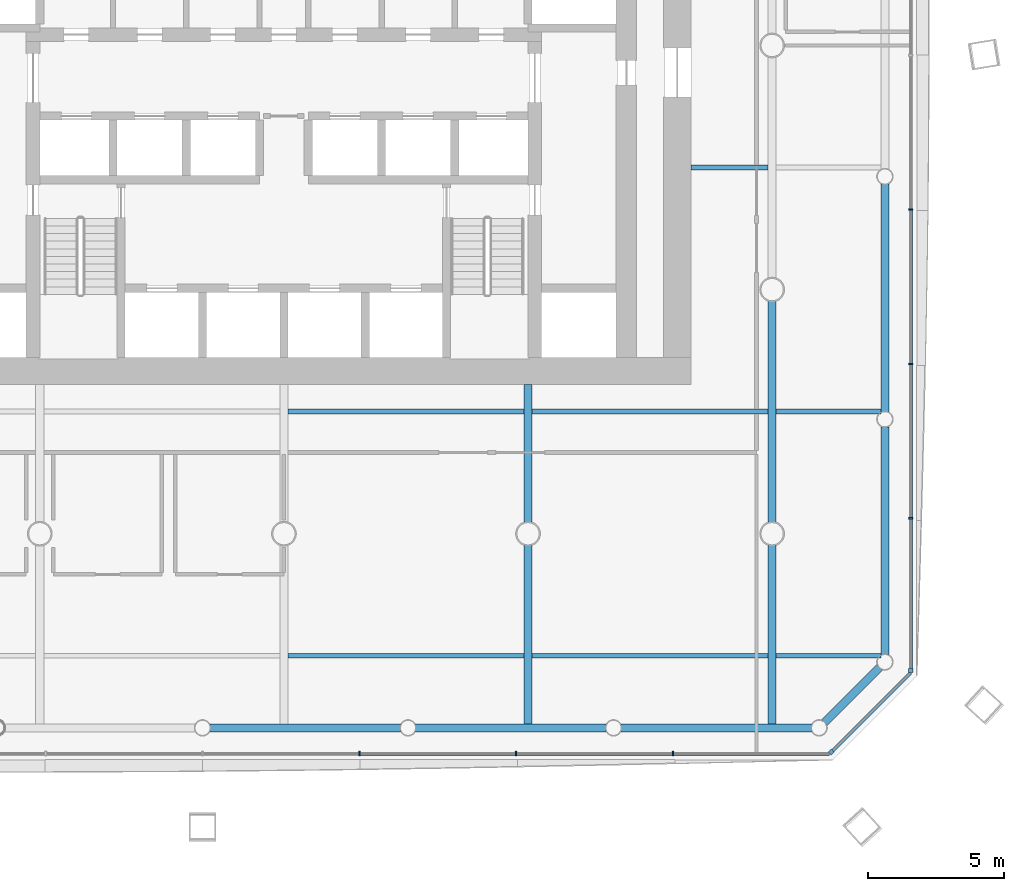
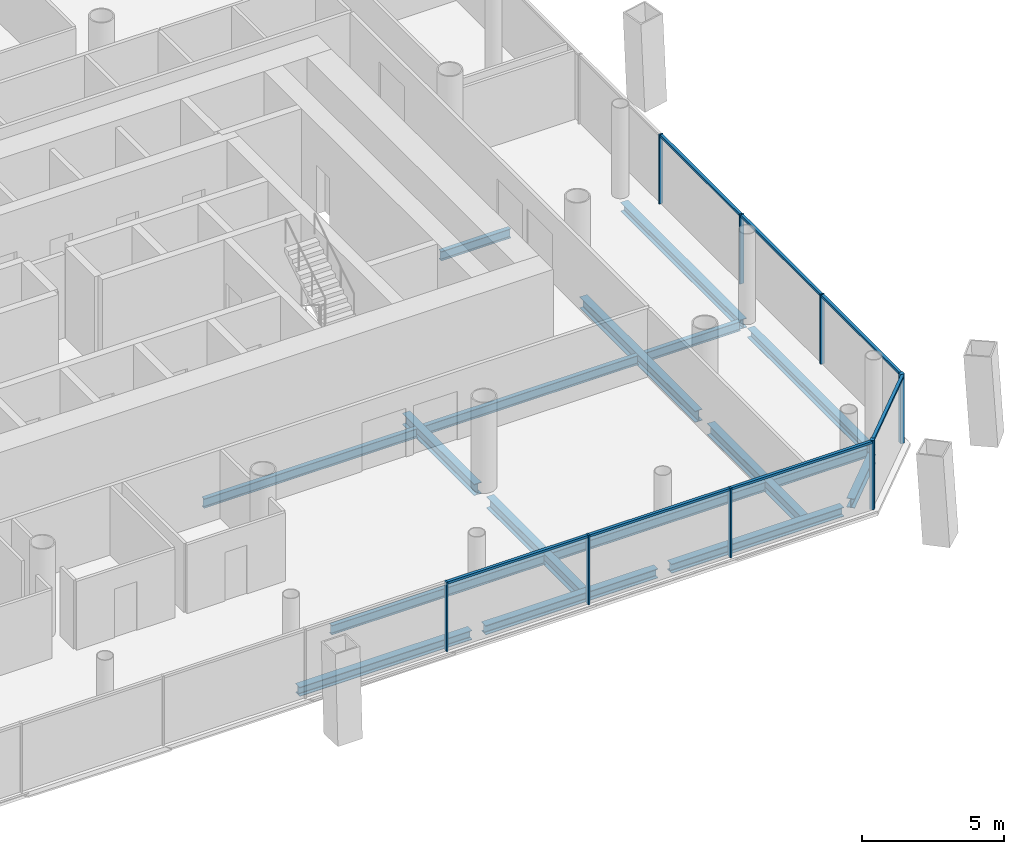
# One storey, part 5 of 20: 17 beams, 15 members, 3 elements without a shape of their own.
"""IFC4 building model written with IfcOpenShell, lengths in metres."""

from ifc_helpers import new_model, si_unit, direction, frame, origin, origin_2d, place, context, subcontext, project, spatial, rectangle, i_section, extrude, material, material_profile, profile_set, type_object, element, aggregate, save


model = new_model("IFC4")

# Units and contexts
model_context = context("Model", 3, precision=1e-05, world=origin(), true_north=direction((0.0, 1.0)))
body_context = subcontext(model_context, "Body", "Model", "MODEL_VIEW")
ifc_project = project(units=[si_unit("LENGTHUNIT", "METRE"), si_unit("AREAUNIT", "SQUARE_METRE"), si_unit("VOLUMEUNIT", "CUBIC_METRE"), si_unit("PLANEANGLEUNIT", "RADIAN"), si_unit("MASSUNIT", "GRAM", prefix="KILO")], contexts=[model_context])

# Site, building, storey
site_placement = place(None, origin())
site = spatial("IfcSite", under=ifc_project, at=site_placement, CompositionType="ELEMENT")
building_placement = place(site_placement, origin())
building = spatial("IfcBuilding", under=site, at=building_placement, Name="Tskaro Facet Tower", CompositionType="ELEMENT")
storey_placement = place(building_placement, frame((0.0, 0.0, 53.699951171875)))
storey = spatial("IfcBuildingStorey", under=building, at=storey_placement, Name="L12", CompositionType="ELEMENT", Elevation=53.699951171875)

# Curtain wall, member
ifc_material_1 = material(Name="Bronze anodised aluminium 6063-T6", Category="aluminium")
curtain_wall_type = type_object("IfcCurtainWallType", Name="Bronze office curtain wall (FW1)", PredefinedType="NOTDEFINED", material=ifc_material_1)
curtain_wall_1_placement = place(storey_placement, origin())
curtain_wall_1 = element("IfcCurtainWall", 1, at=curtain_wall_1_placement, inside=storey, type_object=curtain_wall_type, Name="FW1 south-east facet L12", PredefinedType="NOTDEFINED")
ifc_material_profile_1 = material_profile(ifc_material_1, rectangle(XDim=0.159912109375, YDim=0.159912109375, at=origin_2d()), Name="Corner post 160x160")
ifc_profile_set_1 = profile_set([ifc_material_profile_1], Name="Bronze anodised aluminium 6063-T6")
member_type_1 = type_object("IfcMemberType", Name="FW1 bronze corner post 160x160", PredefinedType="MULLION", material=ifc_profile_set_1)
member_1_placement = place(storey_placement, frame((20.178466796875, -26.050537109375, 0.0), z_axis=(0.0, 0.0, 1.0), x_axis=(0.707106781187, 0.707106781187, 0.0)))
member_1 = element("IfcMember", 2, at=member_1_placement, type_object=member_type_1, Name="FW1 south-east corner post", PredefinedType="MULLION", context=body_context, shape_type="SweptSolid", body=[
    extrude(rectangle(XDim=0.159912109375, YDim=0.159912109375, at=origin_2d()), origin(), (0.0, 0.0, 1.0), 2.989990234375),
])

curtain_wall_2_placement = place(storey_placement, origin())
curtain_wall_2 = element("IfcCurtainWall", 3, at=curtain_wall_2_placement, inside=storey, type_object=curtain_wall_type, Name="FW1 east facet L12", PredefinedType="NOTDEFINED")
member_2_placement = place(storey_placement, frame((23.10693359375, -23.0419921875, 0.0), z_axis=(0.0, 0.0, 1.0), x_axis=(0.0, 1.0, 0.0)))
member_2 = element("IfcMember", 4, at=member_2_placement, type_object=member_type_1, Name="FW1 east corner post", PredefinedType="MULLION", context=body_context, shape_type="SweptSolid", body=[
    extrude(rectangle(XDim=0.159912109375, YDim=0.159912109375, at=origin_2d()), origin(), (0.0, 0.0, 1.0), 2.989990234375),
])

# Curtain wall, members
curtain_wall_3_placement = place(storey_placement, origin())
curtain_wall_3 = element("IfcCurtainWall", 5, at=curtain_wall_3_placement, inside=storey, type_object=curtain_wall_type, Name="FW1 south facet L12", PredefinedType="NOTDEFINED")
ifc_material_profile_2 = material_profile(ifc_material_1, rectangle(XDim=0.06005859375, YDim=0.159912109375, at=origin_2d()), Name="Mullion 60x160")
ifc_profile_set_2 = profile_set([ifc_material_profile_2], Name="Bronze anodised aluminium 6063-T6")
member_type_2 = type_object("IfcMemberType", Name="FW1 bronze mullion 60x160", PredefinedType="MULLION", material=ifc_profile_set_2)
member_3_placement = place(storey_placement, frame((2.780517578125, -26.10693359375, 0.0), z_axis=(0.0, 0.0, 1.0), x_axis=(1.0, 0.0, 0.0)))
member_3 = element("IfcMember", 6, at=member_3_placement, type_object=member_type_2, Name="FW1 south mullion 5", PredefinedType="MULLION", context=body_context, shape_type="SweptSolid", body=[
    extrude(rectangle(XDim=0.06005859375, YDim=0.159912109375, at=origin_2d()), origin(), (0.0, 0.0, 1.0), 2.989990234375),
])
member_4_placement = place(storey_placement, frame((8.56103515625, -26.10693359375, 0.0), z_axis=(0.0, 0.0, 1.0), x_axis=(1.0, 0.0, 0.0)))
member_4 = element("IfcMember", 7, at=member_4_placement, type_object=member_type_2, Name="FW1 south mullion 6", PredefinedType="MULLION", context=body_context, shape_type="SweptSolid", body=[
    extrude(rectangle(XDim=0.06005859375, YDim=0.159912109375, at=origin_2d()), origin(), (0.0, 0.0, 1.0), 2.989990234375),
])
member_5_placement = place(storey_placement, frame((14.341552734375, -26.10693359375, 0.0), z_axis=(0.0, 0.0, 1.0), x_axis=(1.0, 0.0, 0.0)))
member_5 = element("IfcMember", 8, at=member_5_placement, type_object=member_type_2, Name="FW1 south mullion 7", PredefinedType="MULLION", context=body_context, shape_type="SweptSolid", body=[
    extrude(rectangle(XDim=0.06005859375, YDim=0.159912109375, at=origin_2d()), origin(), (0.0, 0.0, 1.0), 2.989990234375),
])

# Member
member_6_placement = place(storey_placement, frame((23.10693359375, -17.43115234375, 0.0), z_axis=(0.0, 0.0, 1.0), x_axis=(0.0, 1.0, 0.0)))
member_6 = element("IfcMember", 9, at=member_6_placement, type_object=member_type_2, Name="FW1 east mullion 1", PredefinedType="MULLION", context=body_context, shape_type="SweptSolid", body=[
    extrude(rectangle(XDim=0.06005859375, YDim=0.159912109375, at=origin_2d()), origin(), (0.0, 0.0, 1.0), 2.989990234375),
])

member_7_placement = place(storey_placement, frame((23.10693359375, -11.740234375, 0.0), z_axis=(0.0, 0.0, 1.0), x_axis=(0.0, 1.0, 0.0)))
member_7 = element("IfcMember", 10, at=member_7_placement, type_object=member_type_2, Name="FW1 east mullion 2", PredefinedType="MULLION", context=body_context, shape_type="SweptSolid", body=[
    extrude(rectangle(XDim=0.06005859375, YDim=0.159912109375, at=origin_2d()), origin(), (0.0, 0.0, 1.0), 2.989990234375),
])

member_8_placement = place(storey_placement, frame((23.10693359375, -6.04931640625, 0.0), z_axis=(0.0, 0.0, 1.0), x_axis=(0.0, 1.0, 0.0)))
member_8 = element("IfcMember", 11, at=member_8_placement, type_object=member_type_2, Name="FW1 east mullion 3", PredefinedType="MULLION", context=body_context, shape_type="SweptSolid", body=[
    extrude(rectangle(XDim=0.06005859375, YDim=0.159912109375, at=origin_2d()), origin(), (0.0, 0.0, 1.0), 2.989990234375),
])

ifc_material_profile_3 = material_profile(ifc_material_1, rectangle(XDim=0.1201171875, YDim=0.10009765625, at=origin_2d()), Name="Transom 120x100")
ifc_profile_set_3 = profile_set([ifc_material_profile_3], Name="Bronze anodised aluminium 6063-T6")
member_type_3 = type_object("IfcMemberType", Name="FW1 bronze transom 120x100", PredefinedType="USERDEFINED", material=ifc_profile_set_3)
member_9_placement = place(storey_placement, frame((2.810546875, -26.10693359375, 2.93994140625), z_axis=(1.0, 0.0, 0.0), x_axis=(0.0, 1.0, 0.0)))
member_9 = element("IfcMember", 12, at=member_9_placement, type_object=member_type_3, Name="FW1 south transom 6.1", ObjectType="TRANSOM", PredefinedType="USERDEFINED", context=body_context, shape_type="SweptSolid", body=[
    extrude(rectangle(XDim=0.1201171875, YDim=0.10009765625, at=origin_2d()), origin(), (0.0, 0.0, 1.0), 5.720458984375),
])

member_10_placement = place(storey_placement, frame((8.591064453125, -26.10693359375, 2.93994140625), z_axis=(1.0, 0.0, 0.0), x_axis=(0.0, 1.0, 0.0)))
member_10 = element("IfcMember", 13, at=member_10_placement, type_object=member_type_3, Name="FW1 south transom 7.1", ObjectType="TRANSOM", PredefinedType="USERDEFINED", context=body_context, shape_type="SweptSolid", body=[
    extrude(rectangle(XDim=0.1201171875, YDim=0.10009765625, at=origin_2d()), origin(), (0.0, 0.0, 1.0), 5.720458984375),
])

member_11_placement = place(storey_placement, frame((14.37158203125, -26.10693359375, 2.93994140625), z_axis=(1.0, 0.0, 0.0), x_axis=(0.0, 1.0, 0.0)))
member_11 = element("IfcMember", 14, at=member_11_placement, type_object=member_type_3, Name="FW1 south transom 8.1", ObjectType="TRANSOM", PredefinedType="USERDEFINED", context=body_context, shape_type="SweptSolid", body=[
    extrude(rectangle(XDim=0.1201171875, YDim=0.10009765625, at=origin_2d()), origin(), (0.0, 0.0, 1.0), 5.75048828125),
])

aggregate(curtain_wall_3, [member_3, member_4, member_5, member_9, member_10, member_11])

member_12_placement = place(storey_placement, frame((20.235107421875, -25.993896484375, 2.93994140625), z_axis=(0.707106781187, 0.707106781187, 0.0), x_axis=(-0.707106781187, 0.707106781187, 0.0)))
member_12 = element("IfcMember", 15, at=member_12_placement, type_object=member_type_3, Name="FW1 south-east transom 1.1", ObjectType="TRANSOM", PredefinedType="USERDEFINED", context=body_context, shape_type="SweptSolid", body=[
    extrude(rectangle(XDim=0.1201171875, YDim=0.10009765625, at=origin_2d()), origin(), (0.0, 0.0, 1.0), 4.061279296875),
])

aggregate(curtain_wall_1, [member_1, member_12])

member_13_placement = place(storey_placement, frame((23.10693359375, -22.9619140625, 2.93994140625), z_axis=(0.0, 1.0, 0.0), x_axis=(-1.0, 0.0, 0.0)))
member_13 = element("IfcMember", 16, at=member_13_placement, type_object=member_type_3, Name="FW1 east transom 1.1", ObjectType="TRANSOM", PredefinedType="USERDEFINED", context=body_context, shape_type="SweptSolid", body=[
    extrude(rectangle(XDim=0.1201171875, YDim=0.10009765625, at=origin_2d()), origin(), (0.0, 0.0, 1.0), 5.500732421875),
])

member_14_placement = place(storey_placement, frame((23.10693359375, -17.401123046875, 2.93994140625), z_axis=(0.0, 1.0, 0.0), x_axis=(-1.0, 0.0, 0.0)))
member_14 = element("IfcMember", 17, at=member_14_placement, type_object=member_type_3, Name="FW1 east transom 2.1", ObjectType="TRANSOM", PredefinedType="USERDEFINED", context=body_context, shape_type="SweptSolid", body=[
    extrude(rectangle(XDim=0.1201171875, YDim=0.10009765625, at=origin_2d()), origin(), (0.0, 0.0, 1.0), 5.630859375),
])

member_15_placement = place(storey_placement, frame((23.10693359375, -11.710205078125, 2.93994140625), z_axis=(0.0, 1.0, 0.0), x_axis=(-1.0, 0.0, 0.0)))
member_15 = element("IfcMember", 18, at=member_15_placement, type_object=member_type_3, Name="FW1 east transom 3.1", ObjectType="TRANSOM", PredefinedType="USERDEFINED", context=body_context, shape_type="SweptSolid", body=[
    extrude(rectangle(XDim=0.1201171875, YDim=0.10009765625, at=origin_2d()), origin(), (0.0, 0.0, 1.0), 5.630859375),
])

aggregate(curtain_wall_2, [member_2, member_6, member_7, member_8, member_13, member_14, member_15])

# Beams
ifc_material_2 = material(Name="Steel S355J2", Category="steel")
ifc_material_profile_4 = material_profile(ifc_material_2, i_section(OverallWidth=0.300048828125, OverallDepth=0.39990234375, WebThickness=0.013427734375, FlangeThickness=0.02392578125, FilletRadius=0.027099609375, at=origin_2d()), Name="HE 400 B")
ifc_profile_set_4 = profile_set([ifc_material_profile_4], Name="Steel S355J2")
beam_type_1 = type_object("IfcBeamType", Name="HE 400 B ring beam", PredefinedType="BEAM", material=ifc_profile_set_4)
beam_1_placement = place(storey_placement, frame((-2.72509765625, -25.156982421875, -0.33984375), z_axis=(1.0, 0.0, 0.0), x_axis=(0.0, 1.0, 0.0)))
element("IfcBeam", 19, at=beam_1_placement, inside=storey, type_object=beam_type_1, Name="HE 400 B EB4-1", PredefinedType="BEAM", context=body_context, shape_type="SweptSolid", body=[
    extrude(i_section(OverallWidth=0.300048828125, OverallDepth=0.39990234375, WebThickness=0.013427734375, FlangeThickness=0.02392578125, FilletRadius=0.027099609375, at=origin_2d()), origin(), (0.0, 0.0, 1.0), 7.026123046875),
])
beam_2_placement = place(storey_placement, frame((4.85107421875, -25.156982421875, -0.33984375), z_axis=(1.0, 0.0, 0.0), x_axis=(0.0, 1.0, 0.0)))
element("IfcBeam", 20, at=beam_2_placement, inside=storey, type_object=beam_type_1, Name="HE 400 B EB5-1", PredefinedType="BEAM", context=body_context, shape_type="SweptSolid", body=[
    extrude(i_section(OverallWidth=0.300048828125, OverallDepth=0.39990234375, WebThickness=0.013427734375, FlangeThickness=0.02392578125, FilletRadius=0.027099609375, at=origin_2d()), origin(), (0.0, 0.0, 1.0), 7.02685546875),
])
beam_3_placement = place(storey_placement, frame((12.427978515625, -25.156982421875, -0.33984375), z_axis=(1.0, 0.0, 0.0), x_axis=(0.0, 1.0, 0.0)))
element("IfcBeam", 21, at=beam_3_placement, inside=storey, type_object=beam_type_1, Name="HE 400 B EB6-1", PredefinedType="BEAM", context=body_context, shape_type="SweptSolid", body=[
    extrude(i_section(OverallWidth=0.300048828125, OverallDepth=0.39990234375, WebThickness=0.013427734375, FlangeThickness=0.02392578125, FilletRadius=0.027099609375, at=origin_2d()), origin(), (0.0, 0.0, 1.0), 7.026123046875),
])
beam_4_placement = place(storey_placement, frame((19.92333984375, -24.962646484375, -0.33984375), z_axis=(0.707106781187, 0.707106781187, 0.0), x_axis=(-0.707106781187, 0.707106781187, 0.0)))
element("IfcBeam", 22, at=beam_4_placement, inside=storey, type_object=beam_type_1, Name="HE 400 B EB7-1", PredefinedType="BEAM", context=body_context, shape_type="SweptSolid", body=[
    extrude(i_section(OverallWidth=0.300048828125, OverallDepth=0.39990234375, WebThickness=0.013427734375, FlangeThickness=0.02392578125, FilletRadius=0.027099609375, at=origin_2d()), origin(), (0.0, 0.0, 1.0), 2.884033203125),
])
for number, where, z_axis, x_axis, name in (
    (23, (22.156982421875, -22.4541015625, -0.33984375), (0.0, 1.0, 0.0), (-1.0, 0.0, 0.0), "HE 400 B EB8-1"),
    (24, (22.156982421875, -13.506103515625, -0.33984375), (0.0, 1.0, 0.0), (-1.0, 0.0, 0.0), "HE 400 B EB9-1"),
):
    element("IfcBeam", number, at=place(storey_placement, frame(where, z_axis=z_axis, x_axis=x_axis)), inside=storey, type_object=beam_type_1, Name=name, PredefinedType="BEAM", context=body_context, shape_type="SweptSolid", body=[
        extrude(i_section(OverallWidth=0.300048828125, OverallDepth=0.39990234375, WebThickness=0.013427734375, FlangeThickness=0.02392578125, FilletRadius=0.027099609375, at=origin_2d()), origin(), (0.0, 0.0, 1.0), 8.398193359375),
    ])
ifc_material_profile_5 = material_profile(ifc_material_2, i_section(OverallWidth=0.300048828125, OverallDepth=0.489990234375, WebThickness=0.011962890625, FlangeThickness=0.02294921875, FilletRadius=0.027099609375, at=origin_2d()), Name="HE 500 A")
ifc_profile_set_5 = profile_set([ifc_material_profile_5], Name="Steel S355J2")
beam_type_2 = type_object("IfcBeamType", Name="HE 500 A girder", PredefinedType="BEAM", material=ifc_profile_set_5)
beam_5_placement = place(storey_placement, frame((9.0, -25.007080078125, -0.385009765625), z_axis=(0.0, 1.0, 0.0), x_axis=(-1.0, 0.0, 0.0)))
element("IfcBeam", 25, at=beam_5_placement, inside=storey, type_object=beam_type_2, Name="HE 500 A GB5-1-1", PredefinedType="BEAM", context=body_context, shape_type="SweptSolid", body=[
    extrude(i_section(OverallWidth=0.300048828125, OverallDepth=0.489990234375, WebThickness=0.011962890625, FlangeThickness=0.02294921875, FilletRadius=0.027099609375, at=origin_2d()), origin(), (0.0, 0.0, 1.0), 6.579833984375),
])
beam_6_placement = place(storey_placement, frame((9.0, -17.57275390625, -0.385009765625), z_axis=(0.0, 1.0, 0.0), x_axis=(-1.0, 0.0, 0.0)))
element("IfcBeam", 26, at=beam_6_placement, inside=storey, type_object=beam_type_2, Name="HE 500 A GB5-2-1", PredefinedType="BEAM", context=body_context, shape_type="SweptSolid", body=[
    extrude(i_section(OverallWidth=0.300048828125, OverallDepth=0.489990234375, WebThickness=0.011962890625, FlangeThickness=0.02294921875, FilletRadius=0.027099609375, at=origin_2d()), origin(), (0.0, 0.0, 1.0), 5.07275390625),
])
beam_7_placement = place(storey_placement, frame((18.0, -25.007080078125, -0.385009765625), z_axis=(0.0, 1.0, 0.0), x_axis=(-1.0, 0.0, 0.0)))
element("IfcBeam", 27, at=beam_7_placement, inside=storey, type_object=beam_type_2, Name="HE 500 A GB6-1-1", PredefinedType="BEAM", context=body_context, shape_type="SweptSolid", body=[
    extrude(i_section(OverallWidth=0.300048828125, OverallDepth=0.489990234375, WebThickness=0.011962890625, FlangeThickness=0.02294921875, FilletRadius=0.027099609375, at=origin_2d()), origin(), (0.0, 0.0, 1.0), 6.579833984375),
])
beam_8_placement = place(storey_placement, frame((18.0, -17.57275390625, -0.385009765625), z_axis=(0.0, 1.0, 0.0), x_axis=(-1.0, 0.0, 0.0)))
element("IfcBeam", 28, at=beam_8_placement, inside=storey, type_object=beam_type_2, Name="HE 500 A GB6-2-1", PredefinedType="BEAM", context=body_context, shape_type="SweptSolid", body=[
    extrude(i_section(OverallWidth=0.300048828125, OverallDepth=0.489990234375, WebThickness=0.011962890625, FlangeThickness=0.02294921875, FilletRadius=0.027099609375, at=origin_2d()), origin(), (0.0, 0.0, 1.0), 8.1455078125),
])
ifc_material_profile_6 = material_profile(ifc_material_2, i_section(OverallWidth=0.179931640625, OverallDepth=0.39990234375, WebThickness=0.008544921875, FlangeThickness=0.013427734375, FilletRadius=0.02099609375, at=origin_2d()), Name="IPE 400")
ifc_profile_set_6 = profile_set([ifc_material_profile_6], Name="Steel S355J2")
beam_type_3 = type_object("IfcBeamType", Name="IPE 400 secondary beam", PredefinedType="BEAM", material=ifc_profile_set_6)
for number, where, z_axis, x_axis, name in (
    (29, (0.14990234375, -22.5, -0.33984375), (1.0, 0.0, 0.0), (0.0, 1.0, 0.0), "IPE 400 SB1a-4-1"),
    (30, (9.14990234375, -22.5, -0.33984375), (1.0, 0.0, 0.0), (0.0, 1.0, 0.0), "IPE 400 SB1a-5-1"),
):
    element("IfcBeam", number, at=place(storey_placement, frame(where, z_axis=z_axis, x_axis=x_axis)), inside=storey, type_object=beam_type_3, Name=name, PredefinedType="BEAM", context=body_context, shape_type="SweptSolid", body=[
        extrude(i_section(OverallWidth=0.179931640625, OverallDepth=0.39990234375, WebThickness=0.008544921875, FlangeThickness=0.013427734375, FilletRadius=0.02099609375, at=origin_2d()), origin(), (0.0, 0.0, 1.0), 8.7001953125),
    ])
beam_9_placement = place(storey_placement, frame((18.14990234375, -22.5, -0.33984375), z_axis=(1.0, 0.0, 0.0), x_axis=(0.0, 1.0, 0.0)))
element("IfcBeam", 31, at=beam_9_placement, inside=storey, type_object=beam_type_3, Name="IPE 400 SB1a-6-1", PredefinedType="BEAM", context=body_context, shape_type="SweptSolid", body=[
    extrude(i_section(OverallWidth=0.179931640625, OverallDepth=0.39990234375, WebThickness=0.008544921875, FlangeThickness=0.013427734375, FilletRadius=0.02099609375, at=origin_2d()), origin(), (0.0, 0.0, 1.0), 3.857177734375),
])
for number, where, z_axis, x_axis, name in (
    (32, (0.14990234375, -13.5, -0.33984375), (1.0, 0.0, 0.0), (0.0, 1.0, 0.0), "IPE 400 SB2a-4-1"),
    (33, (9.14990234375, -13.5, -0.33984375), (1.0, 0.0, 0.0), (0.0, 1.0, 0.0), "IPE 400 SB2a-5-1"),
):
    element("IfcBeam", number, at=place(storey_placement, frame(where, z_axis=z_axis, x_axis=x_axis)), inside=storey, type_object=beam_type_3, Name=name, PredefinedType="BEAM", context=body_context, shape_type="SweptSolid", body=[
        extrude(i_section(OverallWidth=0.179931640625, OverallDepth=0.39990234375, WebThickness=0.008544921875, FlangeThickness=0.013427734375, FilletRadius=0.02099609375, at=origin_2d()), origin(), (0.0, 0.0, 1.0), 8.7001953125),
    ])
beam_10_placement = place(storey_placement, frame((18.14990234375, -13.5, -0.33984375), z_axis=(1.0, 0.0, 0.0), x_axis=(0.0, 1.0, 0.0)))
element("IfcBeam", 34, at=beam_10_placement, inside=storey, type_object=beam_type_3, Name="IPE 400 SB2a-6-1", PredefinedType="BEAM", context=body_context, shape_type="SweptSolid", body=[
    extrude(i_section(OverallWidth=0.179931640625, OverallDepth=0.39990234375, WebThickness=0.008544921875, FlangeThickness=0.013427734375, FilletRadius=0.02099609375, at=origin_2d()), origin(), (0.0, 0.0, 1.0), 3.857177734375),
])
beam_11_placement = place(storey_placement, frame((15.0, -4.5, -0.33984375), z_axis=(1.0, 0.0, 0.0), x_axis=(0.0, 1.0, 0.0)))
element("IfcBeam", 35, at=beam_11_placement, inside=storey, type_object=beam_type_3, Name="IPE 400 SB3a-3-1", PredefinedType="BEAM", context=body_context, shape_type="SweptSolid", body=[
    extrude(i_section(OverallWidth=0.179931640625, OverallDepth=0.39990234375, WebThickness=0.008544921875, FlangeThickness=0.013427734375, FilletRadius=0.02099609375, at=origin_2d()), origin(), (0.0, 0.0, 1.0), 2.85009765625),
])

save(model, "model.ifc")
